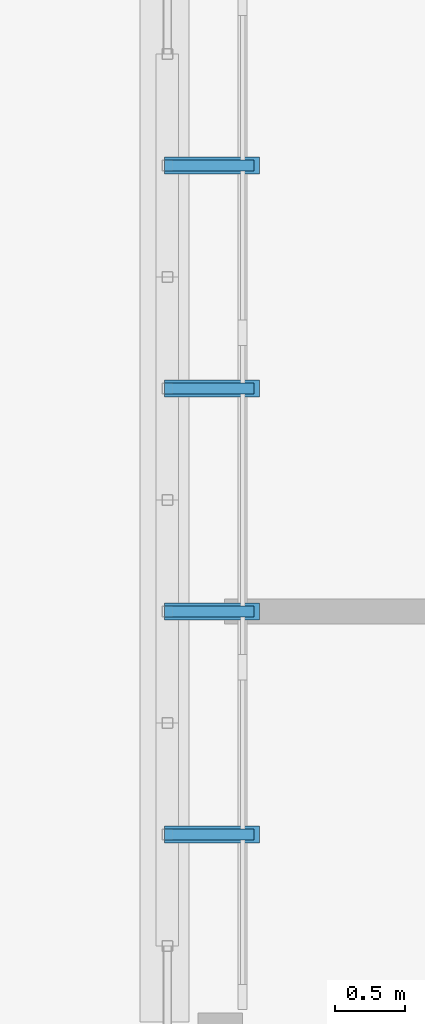
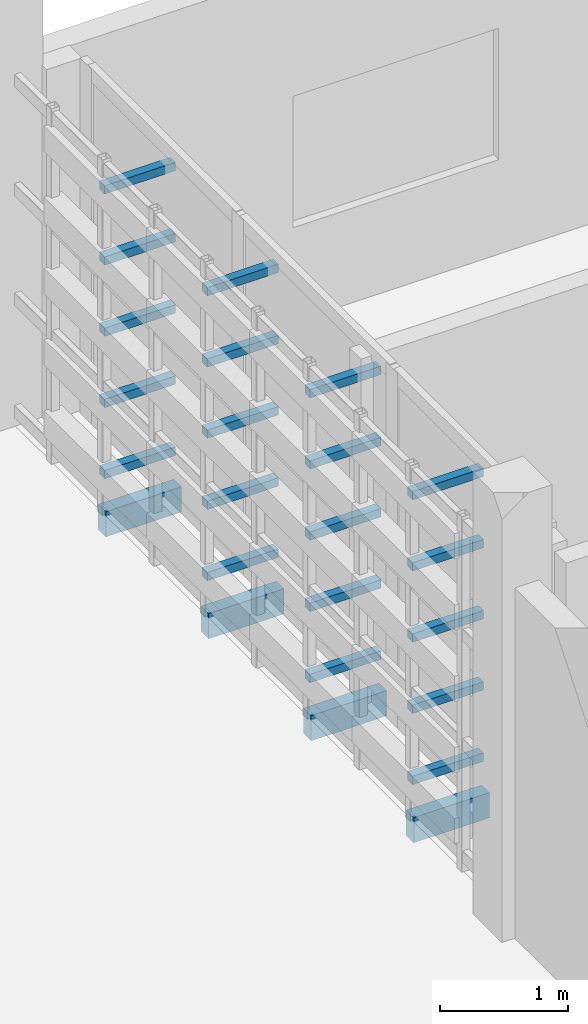
# One storey, part 14 of 16: 24 discrete accessories.
"""IFC4 building model written with IfcOpenShell, lengths in metres."""

from ifc_helpers import new_model, si_unit, direction, frame, origin, origin_2d, place, context, subcontext, project, spatial, rectangle, extrude, material, type_object, element, save


model = new_model("IFC4")

# Units and contexts
model_context = context("Model", 3, precision=1e-05, world=origin(), true_north=direction((0.0, 1.0)))
body_context = subcontext(model_context, "Body", "Model", "MODEL_VIEW")
ifc_project = project(units=[si_unit("LENGTHUNIT", "METRE"), si_unit("AREAUNIT", "SQUARE_METRE"), si_unit("VOLUMEUNIT", "CUBIC_METRE"), si_unit("PLANEANGLEUNIT", "RADIAN"), si_unit("MASSUNIT", "GRAM", prefix="KILO")], contexts=[model_context])

# Site, building, storey
site_placement = place(None, origin())
site = spatial("IfcSite", under=ifc_project, at=site_placement, CompositionType="ELEMENT")
building_placement = place(site_placement, origin())
building = spatial("IfcBuilding", under=site, at=building_placement, Name="Jelvoka-Kovrelna Polytechnic", CompositionType="ELEMENT")
storey_placement = place(building_placement, frame((0.0, 0.0, 30.60009765625)))
storey = spatial("IfcBuildingStorey", under=building, at=storey_placement, Name="L08", CompositionType="ELEMENT", Elevation=30.60009765625)

# Discrete accessories
ifc_material = material(Name="Structural steel S355JR", Category="steel")
discrete_accessory_type = type_object("IfcDiscreteAccessoryType", Name="Bracket_Outrigger_S355", PredefinedType="BRACKET", material=ifc_material)
discrete_accessory_1_placement = place(storey_placement, frame((72.320068359375, 65.60009765625, 0.33984375), z_axis=(0.0, 0.0, 1.0), x_axis=(1.0, 0.0, 0.0)))
element("IfcDiscreteAccessory", 1, at=discrete_accessory_1_placement, inside=storey, type_object=discrete_accessory_type, Name="L08 screen outrigger tie bracket BRKM-PLT-SCR-1281", PredefinedType="BRACKET", context=body_context, shape_type="SweptSolid", body=[
    extrude(rectangle(XDim=0.639892578125, YDim=0.080078125, at=origin_2d()), origin(), (0.0, 0.0, 1.0), 0.080078125),
])
discrete_accessory_2_placement = place(storey_placement, frame((72.340087890625, 65.60009765625, -0.199951171875), z_axis=(0.0, 0.0, 1.0), x_axis=(1.0, 0.0, 0.0)))
element("IfcDiscreteAccessory", 2, at=discrete_accessory_2_placement, inside=storey, type_object=discrete_accessory_type, Name="L08 screen outrigger tie bracket BRK-PLT-SCR-1281", PredefinedType="BRACKET", context=body_context, shape_type="SweptSolid", body=[
    extrude(rectangle(XDim=0.679931640625, YDim=0.1201171875, at=origin_2d()), origin(), (0.0, 0.0, 1.0), 0.239990234375),
])
for number, where, z_axis, x_axis, name in (
    (3, (72.320068359375, 65.60009765625, 1.017333984375), (0.0, 0.0, 1.0), (1.0, 0.0, 0.0), "L08 screen outrigger tie bracket BRKM-PLT-SCR-1282"),
    (4, (72.320068359375, 65.60009765625, 1.69482421875), (0.0, 0.0, 1.0), (1.0, 0.0, 0.0), "L08 screen outrigger tie bracket BRKM-PLT-SCR-1283"),
    (5, (72.320068359375, 65.60009765625, 2.372314453125), (0.0, 0.0, 1.0), (1.0, 0.0, 0.0), "L08 screen outrigger tie bracket BRKM-PLT-SCR-1284"),
    (6, (72.320068359375, 65.60009765625, 3.0498046875), (0.0, 0.0, 1.0), (1.0, 0.0, 0.0), "L08 screen outrigger tie bracket BRKM-PLT-SCR-1285"),
    (7, (72.320068359375, 67.199951171875, 0.33984375), (0.0, 0.0, 1.0), (1.0, 0.0, 0.0), "L08 screen outrigger tie bracket BRKM-PLT-SCR-1286"),
):
    element("IfcDiscreteAccessory", number, at=place(storey_placement, frame(where, z_axis=z_axis, x_axis=x_axis)), inside=storey, type_object=discrete_accessory_type, Name=name, PredefinedType="BRACKET", context=body_context, shape_type="SweptSolid", body=[
        extrude(rectangle(XDim=0.639892578125, YDim=0.080078125, at=origin_2d()), origin(), (0.0, 0.0, 1.0), 0.080078125),
    ])
discrete_accessory_3_placement = place(storey_placement, frame((72.340087890625, 67.199951171875, -0.199951171875), z_axis=(0.0, 0.0, 1.0), x_axis=(1.0, 0.0, 0.0)))
element("IfcDiscreteAccessory", 8, at=discrete_accessory_3_placement, inside=storey, type_object=discrete_accessory_type, Name="L08 screen outrigger tie bracket BRK-PLT-SCR-1286", PredefinedType="BRACKET", context=body_context, shape_type="SweptSolid", body=[
    extrude(rectangle(XDim=0.679931640625, YDim=0.1201171875, at=origin_2d()), origin(), (0.0, 0.0, 1.0), 0.239990234375),
])
for number, where, z_axis, x_axis, name in (
    (9, (72.320068359375, 67.199951171875, 1.017333984375), (0.0, 0.0, 1.0), (1.0, 0.0, 0.0), "L08 screen outrigger tie bracket BRKM-PLT-SCR-1287"),
    (10, (72.320068359375, 67.199951171875, 1.69482421875), (0.0, 0.0, 1.0), (1.0, 0.0, 0.0), "L08 screen outrigger tie bracket BRKM-PLT-SCR-1288"),
    (11, (72.320068359375, 67.199951171875, 2.372314453125), (0.0, 0.0, 1.0), (1.0, 0.0, 0.0), "L08 screen outrigger tie bracket BRKM-PLT-SCR-1289"),
    (12, (72.320068359375, 67.199951171875, 3.0498046875), (0.0, 0.0, 1.0), (1.0, 0.0, 0.0), "L08 screen outrigger tie bracket BRKM-PLT-SCR-1290"),
    (13, (72.320068359375, 68.800048828125, 0.33984375), (0.0, 0.0, 1.0), (1.0, 0.0, 0.0), "L08 screen outrigger tie bracket BRKM-PLT-SCR-1291"),
):
    element("IfcDiscreteAccessory", number, at=place(storey_placement, frame(where, z_axis=z_axis, x_axis=x_axis)), inside=storey, type_object=discrete_accessory_type, Name=name, PredefinedType="BRACKET", context=body_context, shape_type="SweptSolid", body=[
        extrude(rectangle(XDim=0.639892578125, YDim=0.080078125, at=origin_2d()), origin(), (0.0, 0.0, 1.0), 0.080078125),
    ])
discrete_accessory_4_placement = place(storey_placement, frame((72.340087890625, 68.800048828125, -0.199951171875), z_axis=(0.0, 0.0, 1.0), x_axis=(1.0, 0.0, 0.0)))
element("IfcDiscreteAccessory", 14, at=discrete_accessory_4_placement, inside=storey, type_object=discrete_accessory_type, Name="L08 screen outrigger tie bracket BRK-PLT-SCR-1291", PredefinedType="BRACKET", context=body_context, shape_type="SweptSolid", body=[
    extrude(rectangle(XDim=0.679931640625, YDim=0.1201171875, at=origin_2d()), origin(), (0.0, 0.0, 1.0), 0.239990234375),
])
for number, where, z_axis, x_axis, name in (
    (15, (72.320068359375, 68.800048828125, 1.017333984375), (0.0, 0.0, 1.0), (1.0, 0.0, 0.0), "L08 screen outrigger tie bracket BRKM-PLT-SCR-1292"),
    (16, (72.320068359375, 68.800048828125, 1.69482421875), (0.0, 0.0, 1.0), (1.0, 0.0, 0.0), "L08 screen outrigger tie bracket BRKM-PLT-SCR-1293"),
    (17, (72.320068359375, 68.800048828125, 2.372314453125), (0.0, 0.0, 1.0), (1.0, 0.0, 0.0), "L08 screen outrigger tie bracket BRKM-PLT-SCR-1294"),
    (18, (72.320068359375, 68.800048828125, 3.0498046875), (0.0, 0.0, 1.0), (1.0, 0.0, 0.0), "L08 screen outrigger tie bracket BRKM-PLT-SCR-1295"),
    (19, (72.320068359375, 70.39990234375, 0.33984375), (0.0, 0.0, 1.0), (1.0, 0.0, 0.0), "L08 screen outrigger tie bracket BRKM-PLT-SCR-1296"),
):
    element("IfcDiscreteAccessory", number, at=place(storey_placement, frame(where, z_axis=z_axis, x_axis=x_axis)), inside=storey, type_object=discrete_accessory_type, Name=name, PredefinedType="BRACKET", context=body_context, shape_type="SweptSolid", body=[
        extrude(rectangle(XDim=0.639892578125, YDim=0.080078125, at=origin_2d()), origin(), (0.0, 0.0, 1.0), 0.080078125),
    ])
discrete_accessory_5_placement = place(storey_placement, frame((72.340087890625, 70.39990234375, -0.199951171875), z_axis=(0.0, 0.0, 1.0), x_axis=(1.0, 0.0, 0.0)))
element("IfcDiscreteAccessory", 20, at=discrete_accessory_5_placement, inside=storey, type_object=discrete_accessory_type, Name="L08 screen outrigger tie bracket BRK-PLT-SCR-1296", PredefinedType="BRACKET", context=body_context, shape_type="SweptSolid", body=[
    extrude(rectangle(XDim=0.679931640625, YDim=0.1201171875, at=origin_2d()), origin(), (0.0, 0.0, 1.0), 0.239990234375),
])
for number, where, z_axis, x_axis, name in (
    (21, (72.320068359375, 70.39990234375, 1.017333984375), (0.0, 0.0, 1.0), (1.0, 0.0, 0.0), "L08 screen outrigger tie bracket BRKM-PLT-SCR-1297"),
    (22, (72.320068359375, 70.39990234375, 1.69482421875), (0.0, 0.0, 1.0), (1.0, 0.0, 0.0), "L08 screen outrigger tie bracket BRKM-PLT-SCR-1298"),
    (23, (72.320068359375, 70.39990234375, 2.372314453125), (0.0, 0.0, 1.0), (1.0, 0.0, 0.0), "L08 screen outrigger tie bracket BRKM-PLT-SCR-1299"),
    (24, (72.320068359375, 70.39990234375, 3.0498046875), (0.0, 0.0, 1.0), (1.0, 0.0, 0.0), "L08 screen outrigger tie bracket BRKM-PLT-SCR-1300"),
):
    element("IfcDiscreteAccessory", number, at=place(storey_placement, frame(where, z_axis=z_axis, x_axis=x_axis)), inside=storey, type_object=discrete_accessory_type, Name=name, PredefinedType="BRACKET", context=body_context, shape_type="SweptSolid", body=[
        extrude(rectangle(XDim=0.639892578125, YDim=0.080078125, at=origin_2d()), origin(), (0.0, 0.0, 1.0), 0.080078125),
    ])

save(model, "model.ifc")
